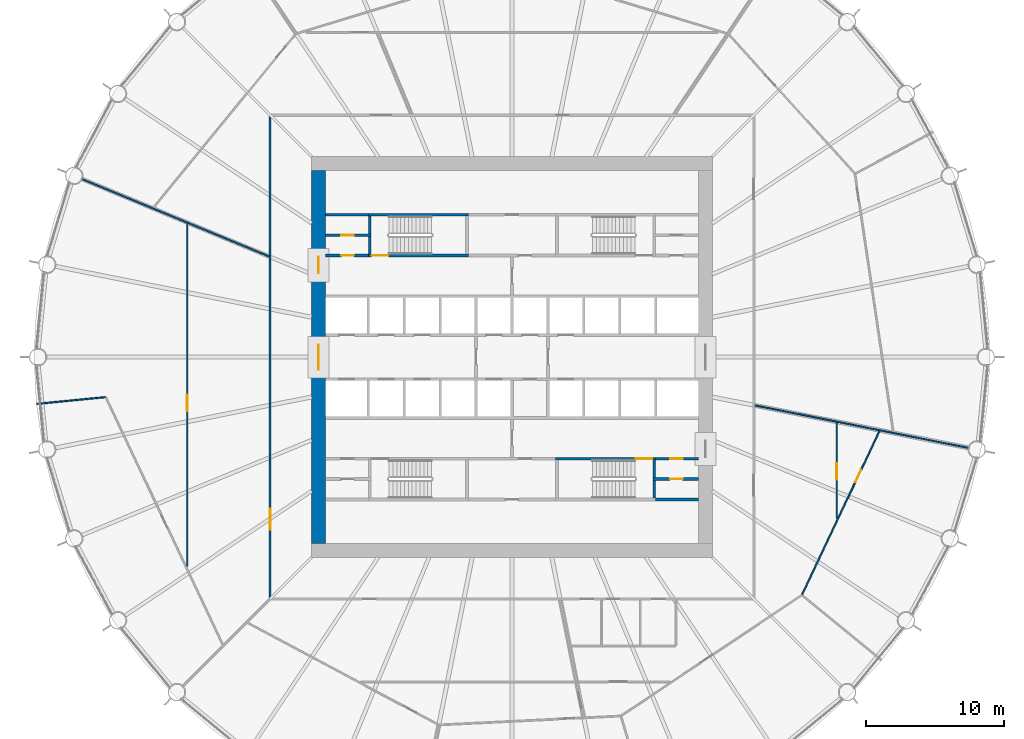
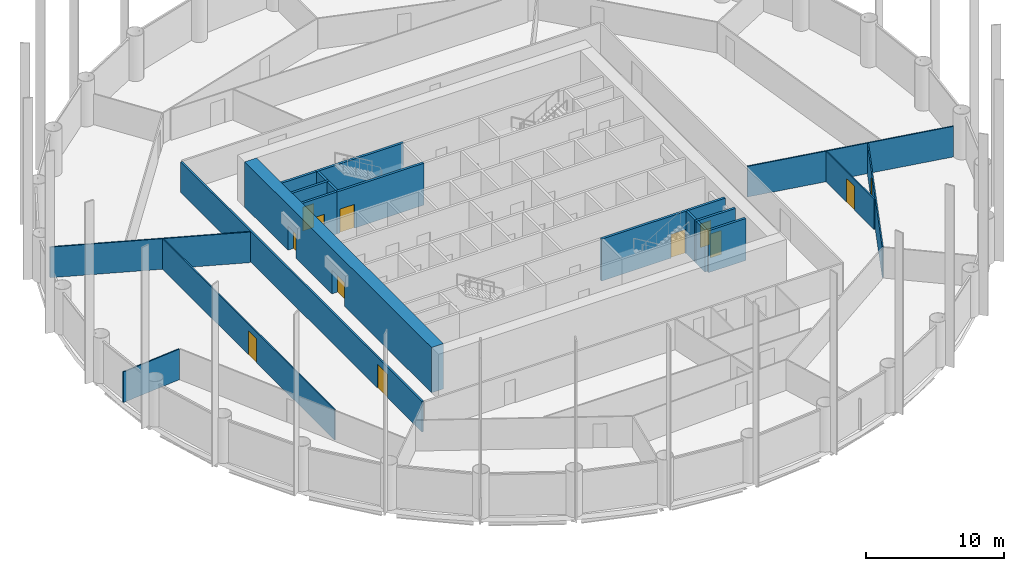
# One storey, part 5 of 10: 21 walls, 12 doors, 12 openings.
"""IFC4 building model written with IfcOpenShell, lengths in metres."""

from ifc_helpers import new_model, si_unit, direction, frame, frame_2d, origin, place, context, subcontext, project, spatial, polyline, rectangle, outline, extrude, material, layer, layer_set, type_object, element, fill, save


model = new_model("IFC4")

# Units and contexts
model_context = context("Model", 3, precision=1e-05, world=origin(), true_north=direction((0.0, 1.0)))
body_context = subcontext(model_context, "Body", "Model", "MODEL_VIEW")
ifc_project = project(units=[si_unit("LENGTHUNIT", "METRE"), si_unit("AREAUNIT", "SQUARE_METRE"), si_unit("VOLUMEUNIT", "CUBIC_METRE"), si_unit("PLANEANGLEUNIT", "RADIAN"), si_unit("MASSUNIT", "GRAM", prefix="KILO")], contexts=[model_context])

# Site, building, storey
site_placement = place(None, origin())
site = spatial("IfcSite", under=ifc_project, at=site_placement, CompositionType="ELEMENT")
building_placement = place(site_placement, origin())
building = spatial("IfcBuilding", under=site, at=building_placement, Name="Corvane Civic Tower", CompositionType="ELEMENT")
storey_placement = place(building_placement, frame((0.0, 0.0, 90.5)))
storey = spatial("IfcBuildingStorey", under=building, at=storey_placement, Name="L20", CompositionType="ELEMENT", Elevation=90.5)

# Wall, openings, doors
ifc_material_1 = material(Name="Concrete C70/85", Category="concrete")
ifc_layer_1 = layer(ifc_material_1, 1.0)
ifc_layer_set_1 = layer_set([ifc_layer_1], Name="Concrete C70/85")
wall_type_1 = type_object("IfcWallType", Name="CORE WALL 1000 C70/85", PredefinedType="SHEAR", material=ifc_layer_set_1)
wall_1_placement = place(storey_placement, frame((-14.0, -13.5, 0.0), z_axis=(0.0, 0.0, 1.0), x_axis=(0.0, 1.0, 0.0)))
wall_1 = element("IfcWall", 1, at=wall_1_placement, inside=storey, type_object=wall_type_1, Name="W-L20-core-W", PredefinedType="SHEAR", context=body_context, shape_type="SweptSolid", body=[
    extrude(rectangle(XDim=27.0, YDim=1.0, at=frame_2d((13.5, 0.0))), origin(), (0.0, 0.0, 1.0), 4.0),
])
opening_1_placement = place(wall_1_placement, frame((12.60009765625, 0.0, 0.0)))
opening_1 = element("IfcOpeningElement", 2, at=opening_1_placement, cuts=wall_1, Name="Opening L20.C22", PredefinedType="OPENING", context=body_context, shape_type="SweptSolid", body=[
    extrude(rectangle(XDim=1.800048828125, YDim=2.10009765625, at=frame_2d((0.89990234375, 1.050048828125))), frame((0.0, 0.510009765625, 0.0), z_axis=(0.0, -1.0, 0.0), x_axis=(1.0, 0.0, 0.0)), (0.0, 0.0, 1.0), 1.02001953125),
])
opening_2_placement = place(wall_1_placement, frame((19.550048828125, 0.0, 0.0)))
opening_2 = element("IfcOpeningElement", 3, at=opening_2_placement, cuts=wall_1, Name="Opening L20.C24", PredefinedType="OPENING", context=body_context, shape_type="SweptSolid", body=[
    extrude(rectangle(XDim=1.199951171875, YDim=2.10009765625, at=frame_2d((0.60009765625, 1.050048828125))), frame((0.0, 0.510009765625, 0.0), z_axis=(0.0, -1.0, 0.0), x_axis=(1.0, 0.0, 0.0)), (0.0, 0.0, 1.0), 1.02001953125),
])
ifc_material_2 = material(Name="Steel fire door leaf", Category="steel")
door_type_1 = type_object("IfcDoorType", Name="CR-DOOR-CORE-1800", OperationType="DOUBLE_DOOR_SINGLE_SWING", PredefinedType="DOOR", material=ifc_material_2)
door_1_placement = place(opening_1_placement, origin())
door_1 = element("IfcDoor", 4, at=door_1_placement, inside=storey, type_object=door_type_1, Name="L20 door", OperationType="DOUBLE_DOOR_SINGLE_SWING", OverallHeight=2.10009765625, OverallWidth=1.800048828125, PredefinedType="DOOR", context=body_context, shape_type="SweptSolid", body=[
    extrude(rectangle(XDim=1.800048828125, YDim=2.10009765625, at=frame_2d((0.89990234375, 1.050048828125))), frame((0.0, 0.02490234375, 0.0), z_axis=(0.0, -1.0, 0.0), x_axis=(1.0, 0.0, 0.0)), (0.0, 0.0, 1.0), 0.050048828125),
])
fill(opening_1, door_1)
door_2_placement = place(opening_2_placement, origin())
door_2 = element("IfcDoor", 5, at=door_2_placement, inside=storey, type_object=door_type_1, Name="L20 door", OperationType="DOUBLE_DOOR_SINGLE_SWING", OverallHeight=2.10009765625, OverallWidth=1.199951171875, PredefinedType="DOOR", context=body_context, shape_type="SweptSolid", body=[
    extrude(rectangle(XDim=1.199951171875, YDim=2.10009765625, at=frame_2d((0.60009765625, 1.050048828125))), frame((0.0, 0.02490234375, 0.0), z_axis=(0.0, -1.0, 0.0), x_axis=(1.0, 0.0, 0.0)), (0.0, 0.0, 1.0), 0.050048828125),
])
fill(opening_2, door_2)

# Wall, opening, door
ifc_material_3 = material(Name="Concrete C30/37", Category="concrete")
ifc_layer_2 = layer(ifc_material_3, 0.199951171875)
ifc_layer_set_2 = layer_set([ifc_layer_2], Name="Concrete C30/37")
wall_type_2 = type_object("IfcWallType", Name="CR-WALL-200", PredefinedType="PARTITIONING", material=ifc_layer_set_2)
wall_2_placement = place(storey_placement, frame((10.199951171875, -8.824951171875, 0.0), z_axis=(0.0, 0.0, 1.0), x_axis=(1.0, 0.0, 0.0)))
wall_2 = element("IfcWall", 6, at=wall_2_placement, inside=storey, type_object=wall_type_2, Name="L20 partition wall", PredefinedType="PARTITIONING", context=body_context, shape_type="SweptSolid", body=[
    extrude(rectangle(XDim=3.300048828125, YDim=0.199951171875, at=frame_2d((1.64990234375, 0.0))), origin(), (0.0, 0.0, 1.0), 3.699951171875),
])
opening_3_placement = place(wall_2_placement, frame((1.25, 0.0, 0.0)))
opening_3 = element("IfcOpeningElement", 7, at=opening_3_placement, cuts=wall_2, Name="Opening L20.C13", PredefinedType="OPENING", context=body_context, shape_type="SweptSolid", body=[
    extrude(rectangle(XDim=0.89990234375, YDim=2.10009765625, at=frame_2d((0.449951171875, 1.050048828125))), frame((0.0, 0.10986328125, 0.0), z_axis=(0.0, -1.0, 0.0), x_axis=(1.0, 0.0, 0.0)), (0.0, 0.0, 1.0), 0.219970703125),
])
ifc_material_4 = material(Name="Steel fire door leaf", Category="steel")
door_type_2 = type_object("IfcDoorType", Name="CR-DOOR-900", OperationType="SINGLE_SWING_LEFT", PredefinedType="DOOR", material=ifc_material_4)
door_3_placement = place(opening_3_placement, origin())
door_3 = element("IfcDoor", 8, at=door_3_placement, inside=storey, type_object=door_type_2, Name="L20 door", OperationType="SINGLE_SWING_LEFT", OverallHeight=2.10009765625, OverallWidth=0.89990234375, PredefinedType="DOOR", context=body_context, shape_type="SweptSolid", body=[
    extrude(rectangle(XDim=0.89990234375, YDim=2.10009765625, at=frame_2d((0.449951171875, 1.050048828125))), frame((0.0, 0.02490234375, 0.0), z_axis=(0.0, -1.0, 0.0), x_axis=(1.0, 0.0, 0.0)), (0.0, 0.0, 1.0), 0.050048828125),
])
fill(opening_3, door_3)

wall_3_placement = place(storey_placement, frame((10.39990234375, -7.35009765625, 0.0), z_axis=(0.0, 0.0, 1.0), x_axis=(1.0, 0.0, 0.0)))
wall_3 = element("IfcWall", 9, at=wall_3_placement, inside=storey, type_object=wall_type_2, Name="L20 core partition wall", PredefinedType="PARTITIONING", context=body_context, shape_type="SweptSolid", body=[
    extrude(rectangle(XDim=3.10009765625, YDim=0.199951171875, at=frame_2d((1.550048828125, 0.0))), origin(), (0.0, 0.0, 1.0), 3.699951171875),
])
opening_4_placement = place(wall_3_placement, frame((1.050048828125, 0.0, 0.0)))
opening_4 = element("IfcOpeningElement", 10, at=opening_4_placement, cuts=wall_3, Name="Opening L20.C12", PredefinedType="OPENING", context=body_context, shape_type="SweptSolid", body=[
    extrude(rectangle(XDim=0.89990234375, YDim=2.10009765625, at=frame_2d((0.449951171875, 1.050048828125))), frame((0.0, 0.10986328125, 0.0), z_axis=(0.0, -1.0, 0.0), x_axis=(1.0, 0.0, 0.0)), (0.0, 0.0, 1.0), 0.219970703125),
])
door_4_placement = place(opening_4_placement, origin())
door_4 = element("IfcDoor", 11, at=door_4_placement, inside=storey, type_object=door_type_2, Name="L20 door", OperationType="SINGLE_SWING_LEFT", OverallHeight=2.10009765625, OverallWidth=0.89990234375, PredefinedType="DOOR", context=body_context, shape_type="SweptSolid", body=[
    extrude(rectangle(XDim=0.89990234375, YDim=2.10009765625, at=frame_2d((0.449951171875, 1.050048828125))), frame((0.0, 0.02490234375, 0.0), z_axis=(0.0, -1.0, 0.0), x_axis=(1.0, 0.0, 0.0)), (0.0, 0.0, 1.0), 0.050048828125),
])
fill(opening_4, door_4)

wall_4_placement = place(storey_placement, frame((-13.5, 7.35009765625, 0.0), z_axis=(0.0, 0.0, 1.0), x_axis=(1.0, 0.0, 0.0)))
wall_4 = element("IfcWall", 12, at=wall_4_placement, inside=storey, type_object=wall_type_2, Name="L20 core partition wall", PredefinedType="PARTITIONING", context=body_context, shape_type="SweptSolid", body=[
    extrude(rectangle(XDim=3.10009765625, YDim=0.199951171875, at=frame_2d((1.550048828125, 0.0))), origin(), (0.0, 0.0, 1.0), 3.699951171875),
])
opening_5_placement = place(wall_4_placement, frame((1.14990234375, 0.0, 0.0)))
opening_5 = element("IfcOpeningElement", 13, at=opening_5_placement, cuts=wall_4, Name="Opening L20.C06", PredefinedType="OPENING", context=body_context, shape_type="SweptSolid", body=[
    extrude(rectangle(XDim=0.89990234375, YDim=2.10009765625, at=frame_2d((0.449951171875, 1.050048828125))), frame((0.0, 0.10986328125, 0.0), z_axis=(0.0, -1.0, 0.0), x_axis=(1.0, 0.0, 0.0)), (0.0, 0.0, 1.0), 0.219970703125),
])
door_5_placement = place(opening_5_placement, origin())
door_5 = element("IfcDoor", 14, at=door_5_placement, inside=storey, type_object=door_type_2, Name="L20 door", OperationType="SINGLE_SWING_LEFT", OverallHeight=2.10009765625, OverallWidth=0.89990234375, PredefinedType="DOOR", context=body_context, shape_type="SweptSolid", body=[
    extrude(rectangle(XDim=0.89990234375, YDim=2.10009765625, at=frame_2d((0.449951171875, 1.050048828125))), frame((0.0, 0.02490234375, 0.0), z_axis=(0.0, -1.0, 0.0), x_axis=(1.0, 0.0, 0.0)), (0.0, 0.0, 1.0), 0.050048828125),
])
fill(opening_5, door_5)

wall_5_placement = place(storey_placement, frame((-13.5, 8.824951171875, 0.0), z_axis=(0.0, 0.0, 1.0), x_axis=(1.0, 0.0, 0.0)))
wall_5 = element("IfcWall", 15, at=wall_5_placement, inside=storey, type_object=wall_type_2, Name="L20 partition wall", PredefinedType="PARTITIONING", context=body_context, shape_type="SweptSolid", body=[
    extrude(rectangle(XDim=3.300048828125, YDim=0.199951171875, at=frame_2d((1.64990234375, 0.0))), origin(), (0.0, 0.0, 1.0), 3.699951171875),
])
opening_6_placement = place(wall_5_placement, frame((1.14990234375, 0.0, 0.0)))
opening_6 = element("IfcOpeningElement", 16, at=opening_6_placement, cuts=wall_5, Name="Opening L20.C07", PredefinedType="OPENING", context=body_context, shape_type="SweptSolid", body=[
    extrude(rectangle(XDim=0.89990234375, YDim=2.10009765625, at=frame_2d((0.449951171875, 1.050048828125))), frame((0.0, 0.10986328125, 0.0), z_axis=(0.0, -1.0, 0.0), x_axis=(1.0, 0.0, 0.0)), (0.0, 0.0, 1.0), 0.219970703125),
])
door_6_placement = place(opening_6_placement, origin())
door_6 = element("IfcDoor", 17, at=door_6_placement, inside=storey, type_object=door_type_2, Name="L20 door", OperationType="SINGLE_SWING_LEFT", OverallHeight=2.10009765625, OverallWidth=0.89990234375, PredefinedType="DOOR", context=body_context, shape_type="SweptSolid", body=[
    extrude(rectangle(XDim=0.89990234375, YDim=2.10009765625, at=frame_2d((0.449951171875, 1.050048828125))), frame((0.0, 0.02490234375, 0.0), z_axis=(0.0, -1.0, 0.0), x_axis=(1.0, 0.0, 0.0)), (0.0, 0.0, 1.0), 0.050048828125),
])
fill(opening_6, door_6)

# Walls
wall_6_placement = place(storey_placement, origin())
element("IfcWall", 18, at=wall_6_placement, inside=storey, type_object=wall_type_2, Name="L20 core partition wall", PredefinedType="PARTITIONING", context=body_context, shape_type="SweptSolid", body=[
    extrude(outline(polyline([(-13.5, 10.199951171875), (-13.5, 10.39990234375), (-10.39990234375, 10.39990234375), (-10.39990234375, 10.199951171875), (-13.5, 10.199951171875)])), origin(), (0.0, 0.0, 1.0), 3.699951171875),
])
wall_7_placement = place(storey_placement, origin())
element("IfcWall", 19, at=wall_7_placement, inside=storey, type_object=wall_type_2, Name="L20 core partition wall", PredefinedType="PARTITIONING", context=body_context, shape_type="SweptSolid", body=[
    extrude(outline(polyline([(13.5, -10.39990234375), (10.39990234375, -10.39990234375), (10.39990234375, -10.199951171875), (13.5, -10.199951171875), (13.5, -10.39990234375)])), origin(), (0.0, 0.0, 1.0), 3.699951171875),
])

# Wall, opening, door
ifc_material_5 = material(Name="Plasterboard")
ifc_layer_3 = layer(ifc_material_5, 0.10009765625)
ifc_layer_set_3 = layer_set([ifc_layer_3], Name="Plasterboard")
wall_type_3 = type_object("IfcWallType", Name="Partition 100 plasterboard on studs", PredefinedType="PARTITIONING", material=ifc_layer_set_3)
wall_8_placement = place(storey_placement, frame((20.997314453125, -17.18310546875, 0.0), z_axis=(0.0, 0.0, 1.0), x_axis=(0.427532924297, 0.90399977801, 0.0)))
wall_8 = element("IfcWall", 20, at=wall_8_placement, inside=storey, type_object=wall_type_3, Name="Partition L20.019", PredefinedType="PARTITIONING", context=body_context, shape_type="SweptSolid", body=[
    extrude(rectangle(XDim=13.086669921875, YDim=0.10009765625, at=frame_2d((6.54345703125, 0.0))), origin(), (0.0, 0.0, 1.0), 2.699951171875),
])
opening_7_placement = place(wall_8_placement, frame((8.99072265625, 0.0, 0.0)))
opening_7 = element("IfcOpeningElement", 21, at=opening_7_placement, cuts=wall_8, Name="Opening L20.013", PredefinedType="OPENING", context=body_context, shape_type="SweptSolid", body=[
    extrude(rectangle(XDim=1.0, YDim=2.10009765625, at=frame_2d((0.5, 1.050048828125))), frame((0.0, 0.06005859375, 0.0), z_axis=(0.0, -1.0, 0.0), x_axis=(1.0, 0.0, 0.0)), (0.0, 0.0, 1.0), 0.1201171875),
])
ifc_material_6 = material(Name="Timber", Category="wood")
door_type_3 = type_object("IfcDoorType", Name="Single door 1000", OperationType="NOTDEFINED", PredefinedType="DOOR", material=ifc_material_6)
door_7_placement = place(opening_7_placement, frame((1.0, 0.0, 0.0), z_axis=(0.0, 0.0, 1.0), x_axis=(-1.0, 0.0, 0.0)))
door_7 = element("IfcDoor", 22, at=door_7_placement, inside=storey, type_object=door_type_3, Name="Door L20.013", OperationType="SINGLE_SWING_LEFT", OverallHeight=2.10009765625, OverallWidth=1.0, PredefinedType="DOOR", context=body_context, shape_type="SweptSolid", body=[
    extrude(rectangle(XDim=1.0, YDim=2.10009765625, at=frame_2d((0.5, 1.050048828125))), frame((0.0, 0.02490234375, 0.0), z_axis=(0.0, -1.0, 0.0), x_axis=(1.0, 0.0, 0.0)), (0.0, 0.0, 1.0), 0.050048828125),
])
fill(opening_7, door_7)

wall_9_placement = place(storey_placement, frame((-23.5, -15.151611328125, 0.0), z_axis=(0.0, 0.0, 1.0), x_axis=(0.0, 1.0, 0.0)))
wall_9 = element("IfcWall", 23, at=wall_9_placement, inside=storey, type_object=wall_type_3, Name="Partition L20.020", PredefinedType="PARTITIONING", context=body_context, shape_type="SweptSolid", body=[
    extrude(rectangle(XDim=24.810791015625, YDim=0.10009765625, at=frame_2d((12.4052734375, 0.0))), origin(), (0.0, 0.0, 1.0), 2.699951171875),
])
opening_8_placement = place(wall_9_placement, frame((11.2421875, 0.0, 0.0)))
opening_8 = element("IfcOpeningElement", 24, at=opening_8_placement, cuts=wall_9, Name="Opening L20.002", PredefinedType="OPENING", context=body_context, shape_type="SweptSolid", body=[
    extrude(rectangle(XDim=1.199951171875, YDim=2.10009765625, at=frame_2d((0.60009765625, 1.050048828125))), frame((0.0, 0.06005859375, 0.0), z_axis=(0.0, -1.0, 0.0), x_axis=(1.0, 0.0, 0.0)), (0.0, 0.0, 1.0), 0.1201171875),
])
ifc_material_7 = material(Name="Timber", Category="wood")
door_type_4 = type_object("IfcDoorType", Name="Double door 1200", OperationType="NOTDEFINED", PredefinedType="DOOR", material=ifc_material_7)
door_8_placement = place(opening_8_placement, origin())
door_8 = element("IfcDoor", 25, at=door_8_placement, inside=storey, type_object=door_type_4, Name="Door L20.002", OperationType="DOUBLE_DOOR_SINGLE_SWING", OverallHeight=2.10009765625, OverallWidth=1.199951171875, PredefinedType="DOOR", context=body_context, shape_type="SweptSolid", body=[
    extrude(rectangle(XDim=1.199951171875, YDim=2.10009765625, at=frame_2d((0.60009765625, 1.050048828125))), frame((0.0, 0.02490234375, 0.0), z_axis=(0.0, -1.0, 0.0), x_axis=(1.0, 0.0, 0.0)), (0.0, 0.0, 1.0), 0.050048828125),
])
fill(opening_8, door_8)

wall_10_placement = place(storey_placement, frame((23.5, -11.668701171875, 0.0), z_axis=(0.0, 0.0, 1.0), x_axis=(0.0, 1.0, 0.0)))
wall_10 = element("IfcWall", 26, at=wall_10_placement, inside=storey, type_object=wall_type_3, Name="Partition L20.021", PredefinedType="PARTITIONING", context=body_context, shape_type="SweptSolid", body=[
    extrude(rectangle(XDim=6.933349609375, YDim=0.10009765625, at=frame_2d((3.466796875, 0.0))), origin(), (0.0, 0.0, 1.0), 2.699951171875),
])
opening_9_placement = place(wall_10_placement, frame((2.785888671875, 0.0, 0.0)))
opening_9 = element("IfcOpeningElement", 27, at=opening_9_placement, cuts=wall_10, Name="Opening L20.018", PredefinedType="OPENING", context=body_context, shape_type="SweptSolid", body=[
    extrude(rectangle(XDim=1.199951171875, YDim=2.10009765625, at=frame_2d((0.60009765625, 1.050048828125))), frame((0.0, 0.06005859375, 0.0), z_axis=(0.0, -1.0, 0.0), x_axis=(1.0, 0.0, 0.0)), (0.0, 0.0, 1.0), 0.1201171875),
])
door_9_placement = place(opening_9_placement, frame((1.199951171875, 0.0, 0.0), z_axis=(0.0, 0.0, 1.0), x_axis=(-1.0, 0.0, 0.0)))
door_9 = element("IfcDoor", 28, at=door_9_placement, inside=storey, type_object=door_type_4, Name="Door L20.018", OperationType="DOUBLE_DOOR_SINGLE_SWING", OverallHeight=2.10009765625, OverallWidth=1.199951171875, PredefinedType="DOOR", context=body_context, shape_type="SweptSolid", body=[
    extrude(rectangle(XDim=1.199951171875, YDim=2.10009765625, at=frame_2d((0.60009765625, 1.050048828125))), frame((0.0, 0.02490234375, 0.0), z_axis=(0.0, -1.0, 0.0), x_axis=(1.0, 0.0, 0.0)), (0.0, 0.0, 1.0), 0.050048828125),
])
fill(opening_9, door_9)

# Walls
wall_11_placement = place(storey_placement, frame((17.584716796875, -3.497802734375, 0.0), z_axis=(0.0, 0.0, 1.0), x_axis=(0.980786008626, -0.195086660958, 0.0)))
element("IfcWall", 29, at=wall_11_placement, inside=storey, type_object=wall_type_3, Name="Partition L20.022", PredefinedType="PARTITIONING", context=body_context, shape_type="SweptSolid", body=[
    extrude(rectangle(XDim=15.735595703125, YDim=0.10009765625, at=frame_2d((7.86767578125, 0.0))), origin(), (0.0, 0.0, 1.0), 2.699951171875),
])
wall_12_placement = place(storey_placement, frame((-34.3837890625, -3.386474609375, 0.0), z_axis=(0.0, 0.0, 1.0), x_axis=(0.995187758028, 0.097986357579, 0.0)))
element("IfcWall", 30, at=wall_12_placement, inside=storey, type_object=wall_type_3, Name="Partition L20.024", PredefinedType="PARTITIONING", context=body_context, shape_type="SweptSolid", body=[
    extrude(rectangle(XDim=4.970703125, YDim=0.10009765625, at=frame_2d((2.4853515625, 0.0))), origin(), (0.0, 0.0, 1.0), 2.699951171875),
])
wall_13_placement = place(storey_placement, frame((-31.102294921875, 12.883056640625, 0.0), z_axis=(0.0, 0.0, 1.0), x_axis=(0.923876205311, -0.382691464839, 0.0)))
element("IfcWall", 31, at=wall_13_placement, inside=storey, type_object=wall_type_3, Name="Partition L20.025", PredefinedType="PARTITIONING", context=body_context, shape_type="SweptSolid", body=[
    extrude(rectangle(XDim=14.621337890625, YDim=0.10009765625, at=frame_2d((7.310546875, 0.0))), origin(), (0.0, 0.0, 1.0), 2.699951171875),
])

# Wall, opening, door
ifc_material_8 = material(Name="Concrete C50/60", Category="concrete")
ifc_layer_4 = layer(ifc_material_8, 0.199951171875)
ifc_layer_set_4 = layer_set([ifc_layer_4], Name="Concrete C50/60")
wall_type_4 = type_object("IfcWallType", Name="ST-WALL-200", PredefinedType="SHEAR", material=ifc_layer_set_4)
wall_14_placement = place(storey_placement, frame((3.14990234375, -7.35009765625, 0.0), z_axis=(0.0, 0.0, 1.0), x_axis=(1.0, 0.0, 0.0)))
wall_14 = element("IfcWall", 32, at=wall_14_placement, inside=storey, type_object=wall_type_4, Name="L20 stair enclosure wall", PredefinedType="SHEAR", context=body_context, shape_type="SweptSolid", body=[
    extrude(rectangle(XDim=7.25, YDim=0.199951171875, at=frame_2d((3.625, 0.0))), origin(), (0.0, 0.0, 1.0), 3.699951171875),
])
opening_10_placement = place(wall_14_placement, frame((5.800048828125, 0.0, 0.0)))
opening_10 = element("IfcOpeningElement", 33, at=opening_10_placement, cuts=wall_14, Name="Opening L20.C16", PredefinedType="OPENING", context=body_context, shape_type="SweptSolid", body=[
    extrude(rectangle(XDim=1.199951171875, YDim=2.10009765625, at=frame_2d((0.60009765625, 1.050048828125))), frame((0.0, 0.10986328125, 0.0), z_axis=(0.0, -1.0, 0.0), x_axis=(1.0, 0.0, 0.0)), (0.0, 0.0, 1.0), 0.219970703125),
])
ifc_material_9 = material(Name="Steel fire door leaf", Category="steel")
door_type_5 = type_object("IfcDoorType", Name="ST-DOOR-1200", OperationType="SINGLE_SWING_RIGHT", PredefinedType="DOOR", material=ifc_material_9)
door_10_placement = place(opening_10_placement, origin())
door_10 = element("IfcDoor", 34, at=door_10_placement, inside=storey, type_object=door_type_5, Name="L20 stair door", OperationType="SINGLE_SWING_RIGHT", OverallHeight=2.10009765625, OverallWidth=1.199951171875, PredefinedType="DOOR", context=body_context, shape_type="SweptSolid", body=[
    extrude(rectangle(XDim=1.199951171875, YDim=2.10009765625, at=frame_2d((0.60009765625, 1.050048828125))), frame((0.0, 0.02490234375, 0.0), z_axis=(0.0, -1.0, 0.0), x_axis=(1.0, 0.0, 0.0)), (0.0, 0.0, 1.0), 0.050048828125),
])
fill(opening_10, door_10)

wall_15_placement = place(storey_placement, frame((-10.39990234375, 7.35009765625, 0.0), z_axis=(0.0, 0.0, 1.0), x_axis=(1.0, 0.0, 0.0)))
wall_15 = element("IfcWall", 35, at=wall_15_placement, inside=storey, type_object=wall_type_4, Name="L20 stair enclosure wall", PredefinedType="SHEAR", context=body_context, shape_type="SweptSolid", body=[
    extrude(rectangle(XDim=7.25, YDim=0.199951171875, at=frame_2d((3.625, 0.0))), origin(), (0.0, 0.0, 1.0), 3.699951171875),
])
opening_11_placement = place(wall_15_placement, frame((0.25, 0.0, 0.0)))
opening_11 = element("IfcOpeningElement", 36, at=opening_11_placement, cuts=wall_15, Name="Opening L20.C15", PredefinedType="OPENING", context=body_context, shape_type="SweptSolid", body=[
    extrude(rectangle(XDim=1.199951171875, YDim=2.10009765625, at=frame_2d((0.60009765625, 1.050048828125))), frame((0.0, 0.10986328125, 0.0), z_axis=(0.0, -1.0, 0.0), x_axis=(1.0, 0.0, 0.0)), (0.0, 0.0, 1.0), 0.219970703125),
])
door_11_placement = place(opening_11_placement, origin())
door_11 = element("IfcDoor", 37, at=door_11_placement, inside=storey, type_object=door_type_5, Name="L20 stair door", OperationType="SINGLE_SWING_RIGHT", OverallHeight=2.10009765625, OverallWidth=1.199951171875, PredefinedType="DOOR", context=body_context, shape_type="SweptSolid", body=[
    extrude(rectangle(XDim=1.199951171875, YDim=2.10009765625, at=frame_2d((0.60009765625, 1.050048828125))), frame((0.0, 0.02490234375, 0.0), z_axis=(0.0, -1.0, 0.0), x_axis=(1.0, 0.0, 0.0)), (0.0, 0.0, 1.0), 0.050048828125),
])
fill(opening_11, door_11)

# Walls
wall_16_placement = place(storey_placement, origin())
element("IfcWall", 38, at=wall_16_placement, inside=storey, type_object=wall_type_4, Name="L20 stair enclosure wall", PredefinedType="SHEAR", context=body_context, shape_type="SweptSolid", body=[
    extrude(outline(polyline([(-3.14990234375, 10.199951171875), (-10.39990234375, 10.199951171875), (-10.39990234375, 10.39990234375), (-3.14990234375, 10.39990234375), (-3.14990234375, 10.199951171875)])), origin(), (0.0, 0.0, 1.0), 3.699951171875),
])
wall_17_placement = place(storey_placement, origin())
element("IfcWall", 39, at=wall_17_placement, inside=storey, type_object=wall_type_4, Name="L20 stair enclosure wall", PredefinedType="SHEAR", context=body_context, shape_type="SweptSolid", body=[
    extrude(outline(polyline([(-10.199951171875, 8.72509765625), (-10.199951171875, 7.449951171875), (-10.39990234375, 7.449951171875), (-10.39990234375, 8.72509765625), (-10.199951171875, 8.72509765625)])), origin(), (0.0, 0.0, 1.0), 3.699951171875),
])
wall_18_placement = place(storey_placement, origin())
element("IfcWall", 40, at=wall_18_placement, inside=storey, type_object=wall_type_4, Name="L20 stair enclosure wall", PredefinedType="SHEAR", context=body_context, shape_type="SweptSolid", body=[
    extrude(outline(polyline([(10.39990234375, -7.449951171875), (10.39990234375, -8.72509765625), (10.199951171875, -8.72509765625), (10.199951171875, -7.449951171875), (10.39990234375, -7.449951171875)])), origin(), (0.0, 0.0, 1.0), 3.699951171875),
])
wall_19_placement = place(storey_placement, origin())
element("IfcWall", 41, at=wall_19_placement, inside=storey, type_object=wall_type_4, Name="L20 stair enclosure wall", PredefinedType="SHEAR", context=body_context, shape_type="SweptSolid", body=[
    extrude(outline(polyline([(-10.199951171875, 8.925048828125), (-10.39990234375, 8.925048828125), (-10.39990234375, 10.199951171875), (-10.199951171875, 10.199951171875), (-10.199951171875, 8.925048828125)])), origin(), (0.0, 0.0, 1.0), 3.699951171875),
])
wall_20_placement = place(storey_placement, origin())
element("IfcWall", 42, at=wall_20_placement, inside=storey, type_object=wall_type_4, Name="L20 stair enclosure wall", PredefinedType="SHEAR", context=body_context, shape_type="SweptSolid", body=[
    extrude(outline(polyline([(10.39990234375, -8.925048828125), (10.39990234375, -10.199951171875), (10.199951171875, -10.199951171875), (10.199951171875, -8.925048828125), (10.39990234375, -8.925048828125)])), origin(), (0.0, 0.0, 1.0), 3.699951171875),
])

# Wall, opening, door
ifc_material_10 = material(Name="Plasterboard")
ifc_layer_5 = layer(ifc_material_10, 0.14990234375)
ifc_layer_set_5 = layer_set([ifc_layer_5], Name="Plasterboard")
wall_type_5 = type_object("IfcWallType", Name="Tenancy wall 150 EI 60", PredefinedType="PARTITIONING", material=ifc_layer_set_5)
wall_21_placement = place(storey_placement, frame((-17.5, -17.425048828125, 0.0), z_axis=(0.0, 0.0, 1.0), x_axis=(0.0, 1.0, 0.0)))
wall_21 = element("IfcWall", 43, at=wall_21_placement, inside=storey, type_object=wall_type_5, Name="Partition L20.017", PredefinedType="PARTITIONING", context=body_context, shape_type="SweptSolid", body=[
    extrude(rectangle(XDim=34.85009765625, YDim=0.14990234375, at=frame_2d((17.425048828125, 0.0))), origin(), (0.0, 0.0, 1.0), 2.699951171875),
])
opening_12_placement = place(wall_21_placement, frame((4.938232421875, 0.0, 0.0)))
opening_12 = element("IfcOpeningElement", 44, at=opening_12_placement, cuts=wall_21, Name="Opening L20.003", PredefinedType="OPENING", context=body_context, shape_type="SweptSolid", body=[
    extrude(rectangle(XDim=1.5, YDim=2.10009765625, at=frame_2d((0.75, 1.050048828125))), frame((0.0, 0.0849609375, 0.0), z_axis=(0.0, -1.0, 0.0), x_axis=(1.0, 0.0, 0.0)), (0.0, 0.0, 1.0), 0.169921875),
])
ifc_material_11 = material(Name="Steel and timber", Category="steel")
door_type_6 = type_object("IfcDoorType", Name="Fire door FD60 double 1500", OperationType="NOTDEFINED", PredefinedType="DOOR", material=ifc_material_11)
door_12_placement = place(opening_12_placement, origin())
door_12 = element("IfcDoor", 45, at=door_12_placement, inside=storey, type_object=door_type_6, Name="Door L20.003", OperationType="DOUBLE_DOOR_SINGLE_SWING", OverallHeight=2.10009765625, OverallWidth=1.5, PredefinedType="DOOR", context=body_context, shape_type="SweptSolid", body=[
    extrude(rectangle(XDim=1.5, YDim=2.10009765625, at=frame_2d((0.75, 1.050048828125))), frame((0.0, 0.02490234375, 0.0), z_axis=(0.0, -1.0, 0.0), x_axis=(1.0, 0.0, 0.0)), (0.0, 0.0, 1.0), 0.050048828125),
])
fill(opening_12, door_12)

save(model, "model.ifc")
